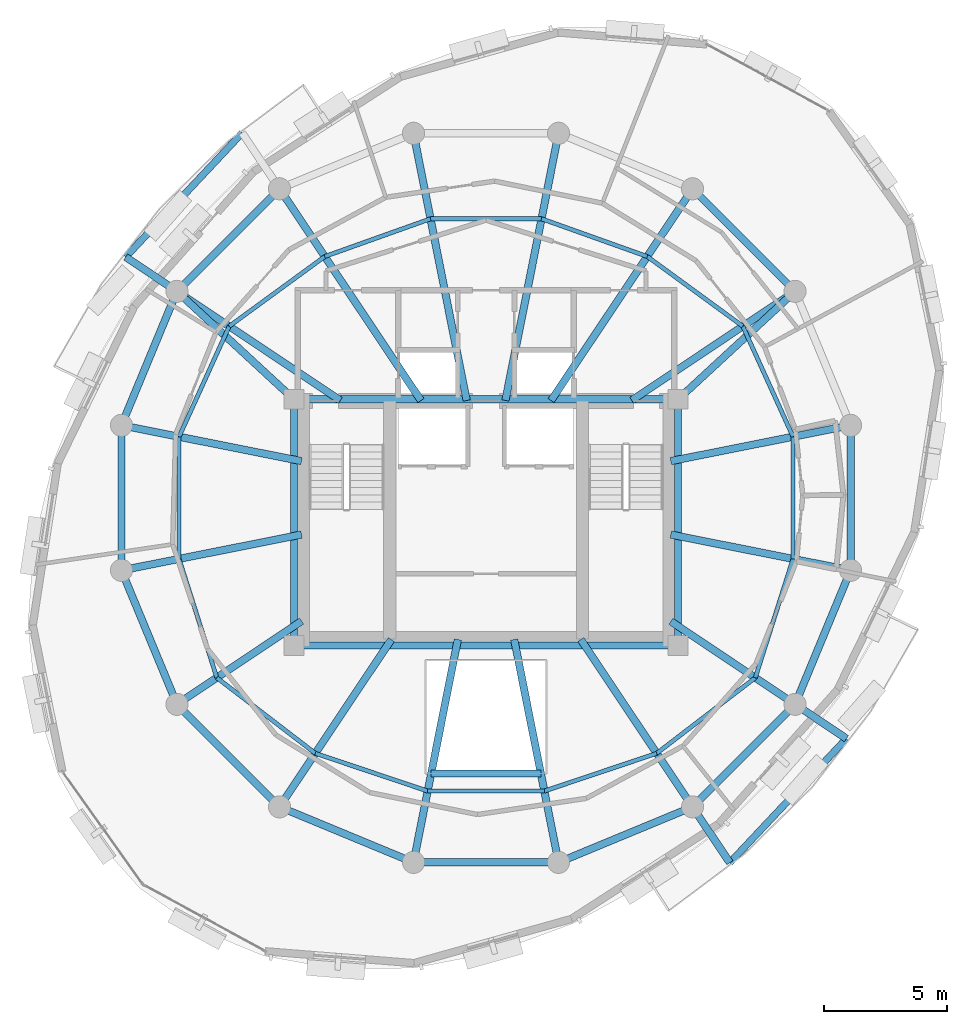
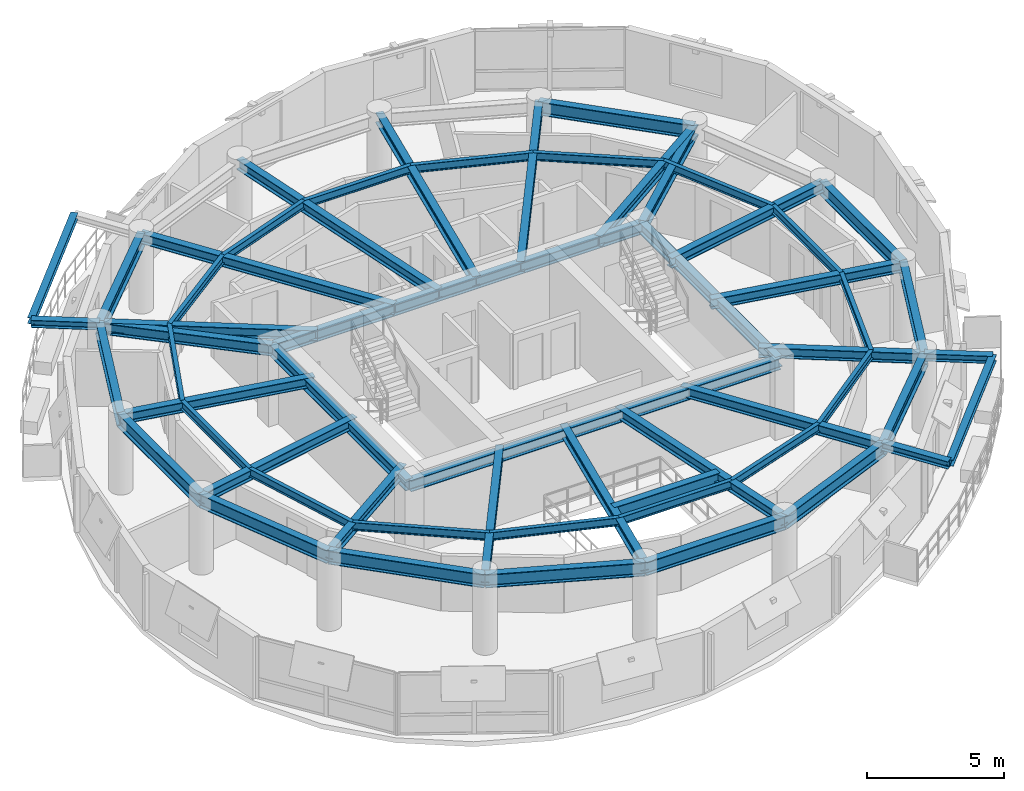
# One storey, part 3 of 11: 56 beams.
"""IFC4 building model written with IfcOpenShell, lengths in metres."""

from ifc_helpers import new_model, si_unit, direction, frame, origin, origin_2d, place, context, subcontext, project, spatial, i_section, extrude, material, material_profile, profile_set, type_object, element, save


model = new_model("IFC4")

# Units and contexts
model_context = context("Model", 3, precision=1e-05, world=origin(), true_north=direction((0.0, 1.0)))
body_context = subcontext(model_context, "Body", "Model", "MODEL_VIEW")
ifc_project = project(units=[si_unit("LENGTHUNIT", "METRE"), si_unit("AREAUNIT", "SQUARE_METRE"), si_unit("VOLUMEUNIT", "CUBIC_METRE"), si_unit("PLANEANGLEUNIT", "RADIAN"), si_unit("MASSUNIT", "GRAM", prefix="KILO"), si_unit("THERMODYNAMICTEMPERATUREUNIT", "KELVIN"), si_unit("POWERUNIT", "WATT")], contexts=[model_context])

# Site, building, storey
site_placement = place(None, origin())
site = spatial("IfcSite", under=ifc_project, at=site_placement, CompositionType="ELEMENT")
building_placement = place(site_placement, origin())
building = spatial("IfcBuilding", under=site, at=building_placement, Name="Ocrelia Relay Tower", CompositionType="ELEMENT")
storey_placement = place(building_placement, frame((0.0, 0.0, 234.0)))
storey = spatial("IfcBuildingStorey", under=building, at=storey_placement, Name="L57", CompositionType="ELEMENT", Elevation=234.0)

# Beams
ifc_material = material(Name="Steel S355", Category="steel")
ifc_material_profile_1 = material_profile(ifc_material, i_section(OverallWidth=0.280029296875, OverallDepth=0.27001953125, WebThickness=0.008056640625, FlangeThickness=0.012939453125, FilletRadius=0.02392578125, at=origin_2d()), Name="HEA 280")
ifc_profile_set_1 = profile_set([ifc_material_profile_1], Name="Steel S355")
beam_type_1 = type_object("IfcBeamType", Name="BM-HEA280", PredefinedType="BEAM", material=ifc_profile_set_1)
for number, where, z_axis, x_axis, name in (
    (1, (24.0947265625, 40.82421875, 3.2451171875), (-0.684556130345, -0.728960152825, 0.0), (0.728960152825, -0.684556130345, 0.0), "L58 Balcony Edge Trimmer Beam B1"),
    (2, (43.9052734375, 11.17578125, 3.2451171875), (0.684556130345, 0.728960152825, 0.0), (-0.728960152825, 0.684556130345, 0.0), "L58 Balcony Edge Trimmer Beam B2"),
):
    element("IfcBeam", number, at=place(storey_placement, frame(where, z_axis=z_axis, x_axis=x_axis)), inside=storey, type_object=beam_type_1, Name=name, PredefinedType="BEAM", context=body_context, shape_type="SweptSolid", body=[
        extrude(i_section(OverallWidth=0.280029296875, OverallDepth=0.27001953125, WebThickness=0.008056640625, FlangeThickness=0.012939453125, FilletRadius=0.02392578125, at=origin_2d()), origin(), (0.0, 0.0, 1.0), 6.916748046875),
    ])
ifc_material_profile_2 = material_profile(ifc_material, i_section(OverallWidth=0.300048828125, OverallDepth=0.330078125, WebThickness=0.009521484375, FlangeThickness=0.0166015625, FilletRadius=0.027099609375, at=origin_2d()), Name="HEA 340")
ifc_profile_set_2 = profile_set([ifc_material_profile_2], Name="Steel S355")
beam_type_2 = type_object("IfcBeamType", Name="BM-HEA340", PredefinedType="BEAM", material=ifc_profile_set_2)
beam_1_placement = place(storey_placement, frame((21.44482421875, 34.38916015625, 3.215087890625), z_axis=(-0.831480656767, 0.555553703455, 0.0), x_axis=(-0.555553703455, -0.831480656767, 0.0)))
element("IfcBeam", 3, at=beam_1_placement, inside=storey, type_object=beam_type_2, Name="L58 Balcony Cantilever Beam B1-2", PredefinedType="BEAM", context=body_context, shape_type="SweptSolid", body=[
    extrude(i_section(OverallWidth=0.300048828125, OverallDepth=0.330078125, WebThickness=0.009521484375, FlangeThickness=0.0166015625, FilletRadius=0.027099609375, at=origin_2d()), origin(), (0.0, 0.0, 1.0), 2.507568359375),
])
beam_2_placement = place(storey_placement, frame((42.38916015625, 13.44482421875, 3.215087890625), z_axis=(0.555567000699, -0.831471772061, 0.0), x_axis=(0.831471772061, 0.555567000699, 0.0)))
element("IfcBeam", 4, at=beam_2_placement, inside=storey, type_object=beam_type_2, Name="L58 Balcony Cantilever Beam B2-1", PredefinedType="BEAM", context=body_context, shape_type="SweptSolid", body=[
    extrude(i_section(OverallWidth=0.300048828125, OverallDepth=0.330078125, WebThickness=0.009521484375, FlangeThickness=0.0166015625, FilletRadius=0.027099609375, at=origin_2d()), origin(), (0.0, 0.0, 1.0), 2.72900390625),
])
beam_3_placement = place(storey_placement, frame((46.55517578125, 17.61083984375, 3.215087890625), z_axis=(0.831480656767, -0.555553703455, 0.0), x_axis=(0.555553703455, 0.831480656767, 0.0)))
element("IfcBeam", 5, at=beam_3_placement, inside=storey, type_object=beam_type_2, Name="L58 Balcony Cantilever Beam B2-2", PredefinedType="BEAM", context=body_context, shape_type="SweptSolid", body=[
    extrude(i_section(OverallWidth=0.300048828125, OverallDepth=0.330078125, WebThickness=0.009521484375, FlangeThickness=0.0166015625, FilletRadius=0.027099609375, at=origin_2d()), origin(), (0.0, 0.0, 1.0), 2.507568359375),
])
ifc_material_profile_3 = material_profile(ifc_material, i_section(OverallWidth=0.300048828125, OverallDepth=0.449951171875, WebThickness=0.013916015625, FlangeThickness=0.02587890625, FilletRadius=0.027099609375, at=origin_2d()), Name="HEB 450")
ifc_profile_set_3 = profile_set([ifc_material_profile_3], Name="Steel S355")
beam_type_3 = type_object("IfcBeamType", Name="BM-HEB450", PredefinedType="BEAM", material=ifc_profile_set_3)
beam_4_placement = place(storey_placement, frame((48.809814453125, 28.94580078125, 3.155029296875), z_axis=(-0.980789400571, -0.195069607393, 0.0), x_axis=(0.195069607393, -0.980789400571, 0.0)))
element("IfcBeam", 6, at=beam_4_placement, inside=storey, type_object=beam_type_3, Name="L57 Radial Floor Girder R01", PredefinedType="BEAM", context=body_context, shape_type="SweptSolid", body=[
    extrude(i_section(OverallWidth=0.300048828125, OverallDepth=0.449951171875, WebThickness=0.013916015625, FlangeThickness=0.02587890625, FilletRadius=0.027099609375, at=origin_2d()), origin(), (0.0, 0.0, 1.0), 7.447998046875),
])
beam_5_placement = place(storey_placement, frame((46.55517578125, 34.38916015625, 3.155029296875), z_axis=(-0.83146627118, -0.555575233331, 0.0), x_axis=(0.555575233331, -0.83146627118, 0.0)))
element("IfcBeam", 7, at=beam_5_placement, inside=storey, type_object=beam_type_3, Name="L57 Radial Floor Girder R02", PredefinedType="BEAM", context=body_context, shape_type="SweptSolid", body=[
    extrude(i_section(OverallWidth=0.300048828125, OverallDepth=0.449951171875, WebThickness=0.013916015625, FlangeThickness=0.02587890625, FilletRadius=0.027099609375, at=origin_2d()), origin(), (0.0, 0.0, 1.0), 7.98095703125),
])
beam_6_placement = place(storey_placement, frame((42.38916015625, 38.55517578125, 3.155029296875), z_axis=(-0.555582296999, -0.831461551283, 0.0), x_axis=(0.831461551283, -0.555582296999, 0.0)))
element("IfcBeam", 8, at=beam_6_placement, inside=storey, type_object=beam_type_3, Name="L57 Radial Floor Girder R03", PredefinedType="BEAM", context=body_context, shape_type="SweptSolid", body=[
    extrude(i_section(OverallWidth=0.300048828125, OverallDepth=0.449951171875, WebThickness=0.013916015625, FlangeThickness=0.02587890625, FilletRadius=0.027099609375, at=origin_2d()), origin(), (0.0, 0.0, 1.0), 10.34326171875),
])
for number, where, z_axis, x_axis, name in (
    (9, (36.94580078125, 40.809814453125, 3.155029296875), (-0.195093658495, -0.98078461673, 0.0), (0.98078461673, -0.195093658495, 0.0), "L57 Radial Floor Girder R04"),
    (10, (31.05419921875, 40.809814453125, 3.155029296875), (0.195093658495, -0.98078461673, 0.0), (0.98078461673, 0.195093658495, 0.0), "L57 Radial Floor Girder R05"),
):
    element("IfcBeam", number, at=place(storey_placement, frame(where, z_axis=z_axis, x_axis=x_axis)), inside=storey, type_object=beam_type_3, Name=name, PredefinedType="BEAM", context=body_context, shape_type="SweptSolid", body=[
        extrude(i_section(OverallWidth=0.300048828125, OverallDepth=0.449951171875, WebThickness=0.013916015625, FlangeThickness=0.02587890625, FilletRadius=0.027099609375, at=origin_2d()), origin(), (0.0, 0.0, 1.0), 11.0673828125),
    ])
beam_7_placement = place(storey_placement, frame((25.61083984375, 38.55517578125, 3.155029296875), z_axis=(0.555582296999, -0.831461551283, 0.0), x_axis=(0.831461551283, 0.555582296999, 0.0)))
element("IfcBeam", 11, at=beam_7_placement, inside=storey, type_object=beam_type_3, Name="L57 Radial Floor Girder R06", PredefinedType="BEAM", context=body_context, shape_type="SweptSolid", body=[
    extrude(i_section(OverallWidth=0.300048828125, OverallDepth=0.449951171875, WebThickness=0.013916015625, FlangeThickness=0.02587890625, FilletRadius=0.027099609375, at=origin_2d()), origin(), (0.0, 0.0, 1.0), 10.34326171875),
])
beam_8_placement = place(storey_placement, frame((21.44482421875, 34.38916015625, 3.155029296875), z_axis=(0.83146627118, -0.555575233331, 0.0), x_axis=(0.555575233331, 0.83146627118, 0.0)))
element("IfcBeam", 12, at=beam_8_placement, inside=storey, type_object=beam_type_3, Name="L57 Radial Floor Girder R07", PredefinedType="BEAM", context=body_context, shape_type="SweptSolid", body=[
    extrude(i_section(OverallWidth=0.300048828125, OverallDepth=0.449951171875, WebThickness=0.013916015625, FlangeThickness=0.02587890625, FilletRadius=0.027099609375, at=origin_2d()), origin(), (0.0, 0.0, 1.0), 7.98095703125),
])
for number, where, z_axis, x_axis, name in (
    (13, (19.190185546875, 28.94580078125, 3.155029296875), (0.980789122594, -0.195071005024, 0.0), (0.195071005024, 0.980789122594, 0.0), "L57 Radial Floor Girder R08"),
    (14, (19.190185546875, 23.05419921875, 3.155029296875), (0.980789122594, 0.195071005024, 0.0), (-0.195071005024, 0.980789122594, 0.0), "L57 Radial Floor Girder R09"),
):
    element("IfcBeam", number, at=place(storey_placement, frame(where, z_axis=z_axis, x_axis=x_axis)), inside=storey, type_object=beam_type_3, Name=name, PredefinedType="BEAM", context=body_context, shape_type="SweptSolid", body=[
        extrude(i_section(OverallWidth=0.300048828125, OverallDepth=0.449951171875, WebThickness=0.013916015625, FlangeThickness=0.02587890625, FilletRadius=0.027099609375, at=origin_2d()), origin(), (0.0, 0.0, 1.0), 7.4580078125),
    ])
beam_9_placement = place(storey_placement, frame((21.44482421875, 17.61083984375, 3.155029296875), z_axis=(0.831463505153, 0.555579372906, 0.0), x_axis=(-0.555579372906, 0.831463505153, 0.0)))
element("IfcBeam", 15, at=beam_9_placement, inside=storey, type_object=beam_type_3, Name="L57 Radial Floor Girder R10", PredefinedType="BEAM", context=body_context, shape_type="SweptSolid", body=[
    extrude(i_section(OverallWidth=0.300048828125, OverallDepth=0.449951171875, WebThickness=0.013916015625, FlangeThickness=0.02587890625, FilletRadius=0.027099609375, at=origin_2d()), origin(), (0.0, 0.0, 1.0), 6.085693359375),
])
beam_10_placement = place(storey_placement, frame((25.61083984375, 13.44482421875, 3.155029296875), z_axis=(0.555560991962, 0.831475786906, 0.0), x_axis=(-0.831475786906, 0.555560991962, 0.0)))
element("IfcBeam", 16, at=beam_10_placement, inside=storey, type_object=beam_type_3, Name="L57 Radial Floor Girder R11", PredefinedType="BEAM", context=body_context, shape_type="SweptSolid", body=[
    extrude(i_section(OverallWidth=0.300048828125, OverallDepth=0.449951171875, WebThickness=0.013916015625, FlangeThickness=0.02587890625, FilletRadius=0.027099609375, at=origin_2d()), origin(), (0.0, 0.0, 1.0), 8.178466796875),
])
for number, where, z_axis, x_axis, name in (
    (17, (31.05419921875, 11.190185546875, 3.155029296875), (0.195078600472, 0.98078761189, 0.0), (-0.98078761189, 0.195078600472, 0.0), "L57 Radial Floor Girder R12"),
    (18, (36.94580078125, 11.190185546875, 3.155029296875), (-0.195078600472, 0.98078761189, 0.0), (-0.98078761189, -0.195078600472, 0.0), "L57 Radial Floor Girder R13"),
):
    element("IfcBeam", number, at=place(storey_placement, frame(where, z_axis=z_axis, x_axis=x_axis)), inside=storey, type_object=beam_type_3, Name=name, PredefinedType="BEAM", context=body_context, shape_type="SweptSolid", body=[
        extrude(i_section(OverallWidth=0.300048828125, OverallDepth=0.449951171875, WebThickness=0.013916015625, FlangeThickness=0.02587890625, FilletRadius=0.027099609375, at=origin_2d()), origin(), (0.0, 0.0, 1.0), 9.232421875),
    ])
beam_11_placement = place(storey_placement, frame((42.38916015625, 13.44482421875, 3.155029296875), z_axis=(-0.555560991962, 0.831475786906, 0.0), x_axis=(-0.831475786906, -0.555560991962, 0.0)))
element("IfcBeam", 19, at=beam_11_placement, inside=storey, type_object=beam_type_3, Name="L57 Radial Floor Girder R14", PredefinedType="BEAM", context=body_context, shape_type="SweptSolid", body=[
    extrude(i_section(OverallWidth=0.300048828125, OverallDepth=0.449951171875, WebThickness=0.013916015625, FlangeThickness=0.02587890625, FilletRadius=0.027099609375, at=origin_2d()), origin(), (0.0, 0.0, 1.0), 8.178466796875),
])
beam_12_placement = place(storey_placement, frame((46.55517578125, 17.61083984375, 3.155029296875), z_axis=(-0.831468559595, 0.555571808504, 0.0), x_axis=(-0.555571808504, -0.831468559595, 0.0)))
element("IfcBeam", 20, at=beam_12_placement, inside=storey, type_object=beam_type_3, Name="L57 Radial Floor Girder R15", PredefinedType="BEAM", context=body_context, shape_type="SweptSolid", body=[
    extrude(i_section(OverallWidth=0.300048828125, OverallDepth=0.449951171875, WebThickness=0.013916015625, FlangeThickness=0.02587890625, FilletRadius=0.027099609375, at=origin_2d()), origin(), (0.0, 0.0, 1.0), 6.073974609375),
])
beam_13_placement = place(storey_placement, frame((48.809814453125, 23.05419921875, 3.155029296875), z_axis=(-0.980789400571, 0.195069607393, 0.0), x_axis=(-0.195069607393, -0.980789400571, 0.0)))
element("IfcBeam", 21, at=beam_13_placement, inside=storey, type_object=beam_type_3, Name="L57 Radial Floor Girder R16", PredefinedType="BEAM", context=body_context, shape_type="SweptSolid", body=[
    extrude(i_section(OverallWidth=0.300048828125, OverallDepth=0.449951171875, WebThickness=0.013916015625, FlangeThickness=0.02587890625, FilletRadius=0.027099609375, at=origin_2d()), origin(), (0.0, 0.0, 1.0), 7.447998046875),
])
ifc_material_profile_4 = material_profile(ifc_material, i_section(OverallWidth=0.300048828125, OverallDepth=0.5, WebThickness=0.014404296875, FlangeThickness=0.028076171875, FilletRadius=0.027099609375, at=origin_2d()), Name="HEB 500")
ifc_profile_set_4 = profile_set([ifc_material_profile_4], Name="Steel S355")
beam_type_4 = type_object("IfcBeamType", Name="BM-HEB500", PredefinedType="BEAM", material=ifc_profile_set_4)
for number, where, z_axis, x_axis, name in (
    (22, (26.199951171875, 20.0, 3.1298828125), (1.0, 0.0, 0.0), (0.0, 1.0, 0.0), "L57 Core Pilaster Tie Beam S"),
    (23, (26.199951171875, 30.0, 3.1298828125), (1.0, 0.0, 0.0), (0.0, 1.0, 0.0), "L57 Core Pilaster Tie Beam N"),
):
    element("IfcBeam", number, at=place(storey_placement, frame(where, z_axis=z_axis, x_axis=x_axis)), inside=storey, type_object=beam_type_4, Name=name, PredefinedType="BEAM", context=body_context, shape_type="SweptSolid", body=[
        extrude(i_section(OverallWidth=0.300048828125, OverallDepth=0.5, WebThickness=0.014404296875, FlangeThickness=0.028076171875, FilletRadius=0.027099609375, at=origin_2d()), origin(), (0.0, 0.0, 1.0), 15.60009765625),
    ])
for number, where, z_axis, x_axis, name in (
    (24, (26.199951171875, 20.0, 3.1298828125), (0.0, 1.0, 0.0), (-1.0, 0.0, 0.0), "L57 Core Pilaster Tie Beam W"),
    (25, (41.800048828125, 20.0, 3.1298828125), (0.0, 1.0, 0.0), (-1.0, 0.0, 0.0), "L57 Core Pilaster Tie Beam E"),
):
    element("IfcBeam", number, at=place(storey_placement, frame(where, z_axis=z_axis, x_axis=x_axis)), inside=storey, type_object=beam_type_4, Name=name, PredefinedType="BEAM", context=body_context, shape_type="SweptSolid", body=[
        extrude(i_section(OverallWidth=0.300048828125, OverallDepth=0.5, WebThickness=0.014404296875, FlangeThickness=0.028076171875, FilletRadius=0.027099609375, at=origin_2d()), origin(), (0.0, 0.0, 1.0), 10.0),
    ])
for number, where, z_axis, x_axis, name in (
    (26, (46.55517578125, 34.38916015625, 3.1298828125), (-0.734817908666, -0.678264433023, 0.0), (0.678264433023, -0.734817908666, 0.0), "L57 Core Pilaster Frame Tie Beam PT02"),
    (27, (21.44482421875, 34.38916015625, 3.1298828125), (0.734817908666, -0.678264433023, 0.0), (0.678264433023, 0.734817908666, 0.0), "L57 Core Pilaster Frame Tie Beam PT07"),
):
    element("IfcBeam", number, at=place(storey_placement, frame(where, z_axis=z_axis, x_axis=x_axis)), inside=storey, type_object=beam_type_4, Name=name, PredefinedType="BEAM", context=body_context, shape_type="SweptSolid", body=[
        extrude(i_section(OverallWidth=0.300048828125, OverallDepth=0.5, WebThickness=0.014404296875, FlangeThickness=0.028076171875, FilletRadius=0.027099609375, at=origin_2d()), origin(), (0.0, 0.0, 1.0), 6.47119140625),
    ])
ifc_material_profile_5 = material_profile(ifc_material, i_section(OverallWidth=0.300048828125, OverallDepth=0.550048828125, WebThickness=0.014892578125, FlangeThickness=0.029052734375, FilletRadius=0.027099609375, at=origin_2d()), Name="HEB 550")
ifc_profile_set_5 = profile_set([ifc_material_profile_5], Name="Steel S355")
beam_type_5 = type_object("IfcBeamType", Name="BM-HEB550", PredefinedType="BEAM", material=ifc_profile_set_5)
beam_14_placement = place(storey_placement, frame((31.772216796875, 14.800048828125, 3.10498046875), z_axis=(1.0, 0.0, 0.0), x_axis=(0.0, 1.0, 0.0)))
element("IfcBeam", 28, at=beam_14_placement, inside=storey, type_object=beam_type_5, Name="L57 Atrium South Trimmer Beam", PredefinedType="BEAM", context=body_context, shape_type="SweptSolid", body=[
    extrude(i_section(OverallWidth=0.300048828125, OverallDepth=0.550048828125, WebThickness=0.014892578125, FlangeThickness=0.029052734375, FilletRadius=0.027099609375, at=origin_2d()), origin(), (0.0, 0.0, 1.0), 4.45556640625),
])
ifc_material_profile_6 = material_profile(ifc_material, i_section(OverallWidth=0.300048828125, OverallDepth=0.60009765625, WebThickness=0.015380859375, FlangeThickness=0.030029296875, FilletRadius=0.027099609375, at=origin_2d()), Name="HEB 600")
ifc_profile_set_6 = profile_set([ifc_material_profile_6], Name="Steel S355")
beam_type_6 = type_object("IfcBeamType", Name="BM-HEB600", PredefinedType="BEAM", material=ifc_profile_set_6)
for number, where, z_axis, x_axis, name in (
    (29, (46.55517578125, 34.38916015625, 3.080078125), (-0.707106781187, 0.707106781187, 0.0), (-0.707106781187, -0.707106781187, 0.0), "L57 Perimeter Spandrel Beam S02"),
    (30, (25.61083984375, 38.55517578125, 3.080078125), (-0.707106781187, -0.707106781187, 0.0), (0.707106781187, -0.707106781187, 0.0), "L57 Perimeter Spandrel Beam S06"),
):
    element("IfcBeam", number, at=place(storey_placement, frame(where, z_axis=z_axis, x_axis=x_axis)), inside=storey, type_object=beam_type_6, Name=name, PredefinedType="BEAM", context=body_context, shape_type="SweptSolid", body=[
        extrude(i_section(OverallWidth=0.300048828125, OverallDepth=0.60009765625, WebThickness=0.015380859375, FlangeThickness=0.030029296875, FilletRadius=0.027099609375, at=origin_2d()), origin(), (0.0, 0.0, 1.0), 5.8916015625),
    ])
beam_15_placement = place(storey_placement, frame((21.44482421875, 34.38916015625, 3.080078125), z_axis=(-0.382672624084, -0.923884009374, 0.0), x_axis=(0.923884009374, -0.382672624084, 0.0)))
element("IfcBeam", 31, at=beam_15_placement, inside=storey, type_object=beam_type_6, Name="L57 Perimeter Spandrel Beam S07", PredefinedType="BEAM", context=body_context, shape_type="SweptSolid", body=[
    extrude(i_section(OverallWidth=0.300048828125, OverallDepth=0.60009765625, WebThickness=0.015380859375, FlangeThickness=0.030029296875, FilletRadius=0.027099609375, at=origin_2d()), origin(), (0.0, 0.0, 1.0), 5.891845703125),
])
beam_16_placement = place(storey_placement, frame((19.190185546875, 28.94580078125, 3.080078125), z_axis=(0.0, -1.0, 0.0), x_axis=(1.0, 0.0, 0.0)))
element("IfcBeam", 32, at=beam_16_placement, inside=storey, type_object=beam_type_6, Name="L57 Perimeter Spandrel Beam S08", PredefinedType="BEAM", context=body_context, shape_type="SweptSolid", body=[
    extrude(i_section(OverallWidth=0.300048828125, OverallDepth=0.60009765625, WebThickness=0.015380859375, FlangeThickness=0.030029296875, FilletRadius=0.027099609375, at=origin_2d()), origin(), (0.0, 0.0, 1.0), 5.8916015625),
])
beam_17_placement = place(storey_placement, frame((19.190185546875, 23.05419921875, 3.080078125), z_axis=(0.382672624084, -0.923884009374, 0.0), x_axis=(0.923884009374, 0.382672624084, 0.0)))
element("IfcBeam", 33, at=beam_17_placement, inside=storey, type_object=beam_type_6, Name="L57 Perimeter Spandrel Beam S09", PredefinedType="BEAM", context=body_context, shape_type="SweptSolid", body=[
    extrude(i_section(OverallWidth=0.300048828125, OverallDepth=0.60009765625, WebThickness=0.015380859375, FlangeThickness=0.030029296875, FilletRadius=0.027099609375, at=origin_2d()), origin(), (0.0, 0.0, 1.0), 5.891845703125),
])
beam_18_placement = place(storey_placement, frame((21.44482421875, 17.61083984375, 3.080078125), z_axis=(0.707106781187, -0.707106781187, 0.0), x_axis=(0.707106781187, 0.707106781187, 0.0)))
element("IfcBeam", 34, at=beam_18_placement, inside=storey, type_object=beam_type_6, Name="L57 Perimeter Spandrel Beam S10", PredefinedType="BEAM", context=body_context, shape_type="SweptSolid", body=[
    extrude(i_section(OverallWidth=0.300048828125, OverallDepth=0.60009765625, WebThickness=0.015380859375, FlangeThickness=0.030029296875, FilletRadius=0.027099609375, at=origin_2d()), origin(), (0.0, 0.0, 1.0), 5.8916015625),
])
beam_19_placement = place(storey_placement, frame((25.61083984375, 13.44482421875, 3.080078125), z_axis=(0.923884009374, -0.382672624084, 0.0), x_axis=(0.382672624084, 0.923884009374, 0.0)))
element("IfcBeam", 35, at=beam_19_placement, inside=storey, type_object=beam_type_6, Name="L57 Perimeter Spandrel Beam S11", PredefinedType="BEAM", context=body_context, shape_type="SweptSolid", body=[
    extrude(i_section(OverallWidth=0.300048828125, OverallDepth=0.60009765625, WebThickness=0.015380859375, FlangeThickness=0.030029296875, FilletRadius=0.027099609375, at=origin_2d()), origin(), (0.0, 0.0, 1.0), 5.891845703125),
])
beam_20_placement = place(storey_placement, frame((31.05419921875, 11.190185546875, 3.080078125), z_axis=(1.0, 0.0, 0.0), x_axis=(0.0, 1.0, 0.0)))
element("IfcBeam", 36, at=beam_20_placement, inside=storey, type_object=beam_type_6, Name="L57 Perimeter Spandrel Beam S12", PredefinedType="BEAM", context=body_context, shape_type="SweptSolid", body=[
    extrude(i_section(OverallWidth=0.300048828125, OverallDepth=0.60009765625, WebThickness=0.015380859375, FlangeThickness=0.030029296875, FilletRadius=0.027099609375, at=origin_2d()), origin(), (0.0, 0.0, 1.0), 5.8916015625),
])
beam_21_placement = place(storey_placement, frame((36.94580078125, 11.190185546875, 3.080078125), z_axis=(0.923884009374, 0.382672624084, 0.0), x_axis=(-0.382672624084, 0.923884009374, 0.0)))
element("IfcBeam", 37, at=beam_21_placement, inside=storey, type_object=beam_type_6, Name="L57 Perimeter Spandrel Beam S13", PredefinedType="BEAM", context=body_context, shape_type="SweptSolid", body=[
    extrude(i_section(OverallWidth=0.300048828125, OverallDepth=0.60009765625, WebThickness=0.015380859375, FlangeThickness=0.030029296875, FilletRadius=0.027099609375, at=origin_2d()), origin(), (0.0, 0.0, 1.0), 5.891845703125),
])
beam_22_placement = place(storey_placement, frame((42.38916015625, 13.44482421875, 3.080078125), z_axis=(0.707106781187, 0.707106781187, 0.0), x_axis=(-0.707106781187, 0.707106781187, 0.0)))
element("IfcBeam", 38, at=beam_22_placement, inside=storey, type_object=beam_type_6, Name="L57 Perimeter Spandrel Beam S14", PredefinedType="BEAM", context=body_context, shape_type="SweptSolid", body=[
    extrude(i_section(OverallWidth=0.300048828125, OverallDepth=0.60009765625, WebThickness=0.015380859375, FlangeThickness=0.030029296875, FilletRadius=0.027099609375, at=origin_2d()), origin(), (0.0, 0.0, 1.0), 5.8916015625),
])
beam_23_placement = place(storey_placement, frame((46.55517578125, 17.61083984375, 3.080078125), z_axis=(0.382672624084, 0.923884009374, 0.0), x_axis=(-0.923884009374, 0.382672624084, 0.0)))
element("IfcBeam", 39, at=beam_23_placement, inside=storey, type_object=beam_type_6, Name="L57 Perimeter Spandrel Beam S15", PredefinedType="BEAM", context=body_context, shape_type="SweptSolid", body=[
    extrude(i_section(OverallWidth=0.300048828125, OverallDepth=0.60009765625, WebThickness=0.015380859375, FlangeThickness=0.030029296875, FilletRadius=0.027099609375, at=origin_2d()), origin(), (0.0, 0.0, 1.0), 5.891845703125),
])
beam_24_placement = place(storey_placement, frame((48.809814453125, 23.05419921875, 3.080078125), z_axis=(0.0, 1.0, 0.0), x_axis=(-1.0, 0.0, 0.0)))
element("IfcBeam", 40, at=beam_24_placement, inside=storey, type_object=beam_type_6, Name="L57 Perimeter Spandrel Beam S16", PredefinedType="BEAM", context=body_context, shape_type="SweptSolid", body=[
    extrude(i_section(OverallWidth=0.300048828125, OverallDepth=0.60009765625, WebThickness=0.015380859375, FlangeThickness=0.030029296875, FilletRadius=0.027099609375, at=origin_2d()), origin(), (0.0, 0.0, 1.0), 5.8916015625),
])
ifc_material_profile_7 = material_profile(ifc_material, i_section(OverallWidth=0.169921875, OverallDepth=0.360107421875, WebThickness=0.008056640625, FlangeThickness=0.0126953125, FilletRadius=0.01806640625, at=origin_2d()), Name="IPE 360")
ifc_profile_set_7 = profile_set([ifc_material_profile_7], Name="Steel S355")
beam_type_7 = type_object("IfcBeamType", Name="BM-IPE360", PredefinedType="JOIST", material=ifc_profile_set_7)
beam_25_placement = place(storey_placement, frame((46.472412109375, 28.48095703125, 3.199951171875), z_axis=(-0.413836514443, 0.91035121756, 0.0), x_axis=(-0.91035121756, -0.413836514443, 0.0)))
element("IfcBeam", 41, at=beam_25_placement, inside=storey, type_object=beam_type_7, Name="L57 Secondary Floor Joist J01", PredefinedType="JOIST", context=body_context, shape_type="SweptSolid", body=[
    extrude(i_section(OverallWidth=0.169921875, OverallDepth=0.360107421875, WebThickness=0.008056640625, FlangeThickness=0.0126953125, FilletRadius=0.01806640625, at=origin_2d()), origin(), (0.0, 0.0, 1.0), 4.931396484375),
])
beam_26_placement = place(storey_placement, frame((44.431640625, 32.97021484375, 3.199951171875), z_axis=(-0.80774844416, 0.58952731146, 0.0), x_axis=(-0.58952731146, -0.80774844416, 0.0)))
element("IfcBeam", 42, at=beam_26_placement, inside=storey, type_object=beam_type_7, Name="L57 Secondary Floor Joist J02", PredefinedType="JOIST", context=body_context, shape_type="SweptSolid", body=[
    extrude(i_section(OverallWidth=0.169921875, OverallDepth=0.360107421875, WebThickness=0.008056640625, FlangeThickness=0.0126953125, FilletRadius=0.01806640625, at=origin_2d()), origin(), (0.0, 0.0, 1.0), 4.80517578125),
])
beam_27_placement = place(storey_placement, frame((40.55029296875, 35.802978515625, 3.199951171875), z_axis=(-0.94180245035, 0.336166840298, 0.0), x_axis=(-0.336166840298, -0.94180245035, 0.0)))
element("IfcBeam", 43, at=beam_27_placement, inside=storey, type_object=beam_type_7, Name="L57 Secondary Floor Joist J03", PredefinedType="JOIST", context=body_context, shape_type="SweptSolid", body=[
    extrude(i_section(OverallWidth=0.169921875, OverallDepth=0.360107421875, WebThickness=0.008056640625, FlangeThickness=0.0126953125, FilletRadius=0.01806640625, at=origin_2d()), origin(), (0.0, 0.0, 1.0), 4.560791015625),
])
beam_28_placement = place(storey_placement, frame((36.2548828125, 37.336181640625, 3.199951171875), z_axis=(-1.0, 0.0, 0.0), x_axis=(0.0, -1.0, 0.0)))
element("IfcBeam", 44, at=beam_28_placement, inside=storey, type_object=beam_type_7, Name="L57 Secondary Floor Joist J04", PredefinedType="JOIST", context=body_context, shape_type="SweptSolid", body=[
    extrude(i_section(OverallWidth=0.169921875, OverallDepth=0.360107421875, WebThickness=0.008056640625, FlangeThickness=0.0126953125, FilletRadius=0.01806640625, at=origin_2d()), origin(), (0.0, 0.0, 1.0), 4.509765625),
])
beam_29_placement = place(storey_placement, frame((31.7451171875, 37.336181640625, 3.199951171875), z_axis=(-0.94180245035, -0.336166840298, 0.0), x_axis=(0.336166840298, -0.94180245035, 0.0)))
element("IfcBeam", 45, at=beam_29_placement, inside=storey, type_object=beam_type_7, Name="L57 Secondary Floor Joist J05", PredefinedType="JOIST", context=body_context, shape_type="SweptSolid", body=[
    extrude(i_section(OverallWidth=0.169921875, OverallDepth=0.360107421875, WebThickness=0.008056640625, FlangeThickness=0.0126953125, FilletRadius=0.01806640625, at=origin_2d()), origin(), (0.0, 0.0, 1.0), 4.560791015625),
])
beam_30_placement = place(storey_placement, frame((27.44970703125, 35.802978515625, 3.199951171875), z_axis=(-0.80774844416, -0.58952731146, 0.0), x_axis=(0.58952731146, -0.80774844416, 0.0)))
element("IfcBeam", 46, at=beam_30_placement, inside=storey, type_object=beam_type_7, Name="L57 Secondary Floor Joist J06", PredefinedType="JOIST", context=body_context, shape_type="SweptSolid", body=[
    extrude(i_section(OverallWidth=0.169921875, OverallDepth=0.360107421875, WebThickness=0.008056640625, FlangeThickness=0.0126953125, FilletRadius=0.01806640625, at=origin_2d()), origin(), (0.0, 0.0, 1.0), 4.80517578125),
])
beam_31_placement = place(storey_placement, frame((23.568359375, 32.97021484375, 3.199951171875), z_axis=(-0.413205957462, -0.910637599003, 0.0), x_axis=(0.910637599003, -0.413205957462, 0.0)))
element("IfcBeam", 47, at=beam_31_placement, inside=storey, type_object=beam_type_7, Name="L57 Secondary Floor Joist J07", PredefinedType="JOIST", context=body_context, shape_type="SweptSolid", body=[
    extrude(i_section(OverallWidth=0.169921875, OverallDepth=0.360107421875, WebThickness=0.008056640625, FlangeThickness=0.0126953125, FilletRadius=0.01806640625, at=origin_2d()), origin(), (0.0, 0.0, 1.0), 4.9306640625),
])
beam_32_placement = place(storey_placement, frame((21.531005859375, 28.480224609375, 3.199951171875), z_axis=(0.0, -1.0, 0.0), x_axis=(1.0, 0.0, 0.0)))
element("IfcBeam", 48, at=beam_32_placement, inside=storey, type_object=beam_type_7, Name="L57 Secondary Floor Joist J08", PredefinedType="JOIST", context=body_context, shape_type="SweptSolid", body=[
    extrude(i_section(OverallWidth=0.169921875, OverallDepth=0.360107421875, WebThickness=0.008056640625, FlangeThickness=0.0126953125, FilletRadius=0.01806640625, at=origin_2d()), origin(), (0.0, 0.0, 1.0), 4.96044921875),
])
beam_33_placement = place(storey_placement, frame((21.531005859375, 23.519775390625, 3.199951171875), z_axis=(0.302732054046, -0.953075707094, 0.0), x_axis=(0.953075707094, 0.302732054046, 0.0)))
element("IfcBeam", 49, at=beam_33_placement, inside=storey, type_object=beam_type_7, Name="L57 Secondary Floor Joist J09", PredefinedType="JOIST", context=body_context, shape_type="SweptSolid", body=[
    extrude(i_section(OverallWidth=0.169921875, OverallDepth=0.360107421875, WebThickness=0.008056640625, FlangeThickness=0.0126953125, FilletRadius=0.01806640625, at=origin_2d()), origin(), (0.0, 0.0, 1.0), 5.064453125),
])
beam_34_placement = place(storey_placement, frame((23.064208984375, 18.69287109375, 3.199951171875), z_axis=(0.793147291367, -0.60902986314, 0.0), x_axis=(0.60902986314, 0.793147291367, 0.0)))
element("IfcBeam", 50, at=beam_34_placement, inside=storey, type_object=beam_type_7, Name="L57 Secondary Floor Joist J10", PredefinedType="JOIST", context=body_context, shape_type="SweptSolid", body=[
    extrude(i_section(OverallWidth=0.169921875, OverallDepth=0.360107421875, WebThickness=0.008056640625, FlangeThickness=0.0126953125, FilletRadius=0.01806640625, at=origin_2d()), origin(), (0.0, 0.0, 1.0), 5.044189453125),
])
beam_35_placement = place(storey_placement, frame((27.06494140625, 15.620849609375, 3.199951171875), z_axis=(0.947976335242, -0.318340804519, 0.0), x_axis=(0.318340804519, 0.947976335242, 0.0)))
element("IfcBeam", 51, at=beam_35_placement, inside=storey, type_object=beam_type_7, Name="L57 Secondary Floor Joist J11", PredefinedType="JOIST", context=body_context, shape_type="SweptSolid", body=[
    extrude(i_section(OverallWidth=0.169921875, OverallDepth=0.360107421875, WebThickness=0.008056640625, FlangeThickness=0.0126953125, FilletRadius=0.01806640625, at=origin_2d()), origin(), (0.0, 0.0, 1.0), 4.816162109375),
])
beam_36_placement = place(storey_placement, frame((31.630615234375, 14.087646484375, 3.199951171875), z_axis=(1.0, 0.0, 0.0), x_axis=(0.0, 1.0, 0.0)))
element("IfcBeam", 52, at=beam_36_placement, inside=storey, type_object=beam_type_7, Name="L57 Secondary Floor Joist J12", PredefinedType="JOIST", context=body_context, shape_type="SweptSolid", body=[
    extrude(i_section(OverallWidth=0.169921875, OverallDepth=0.360107421875, WebThickness=0.008056640625, FlangeThickness=0.0126953125, FilletRadius=0.01806640625, at=origin_2d()), origin(), (0.0, 0.0, 1.0), 4.73876953125),
])
beam_37_placement = place(storey_placement, frame((36.369384765625, 14.087646484375, 3.199951171875), z_axis=(0.947976335242, 0.318340804519, 0.0), x_axis=(-0.318340804519, 0.947976335242, 0.0)))
element("IfcBeam", 53, at=beam_37_placement, inside=storey, type_object=beam_type_7, Name="L57 Secondary Floor Joist J13", PredefinedType="JOIST", context=body_context, shape_type="SweptSolid", body=[
    extrude(i_section(OverallWidth=0.169921875, OverallDepth=0.360107421875, WebThickness=0.008056640625, FlangeThickness=0.0126953125, FilletRadius=0.01806640625, at=origin_2d()), origin(), (0.0, 0.0, 1.0), 4.816162109375),
])
beam_38_placement = place(storey_placement, frame((40.93505859375, 15.620849609375, 3.199951171875), z_axis=(0.793608697717, 0.608428496134, 0.0), x_axis=(-0.608428496134, 0.793608697717, 0.0)))
element("IfcBeam", 54, at=beam_38_placement, inside=storey, type_object=beam_type_7, Name="L57 Secondary Floor Joist J14", PredefinedType="JOIST", context=body_context, shape_type="SweptSolid", body=[
    extrude(i_section(OverallWidth=0.169921875, OverallDepth=0.360107421875, WebThickness=0.008056640625, FlangeThickness=0.0126953125, FilletRadius=0.01806640625, at=origin_2d()), origin(), (0.0, 0.0, 1.0), 5.04541015625),
])
beam_39_placement = place(storey_placement, frame((44.939208984375, 18.690673828125, 3.199951171875), z_axis=(0.302648624063, 0.953102203519, 0.0), x_axis=(-0.953102203519, 0.302648624063, 0.0)))
element("IfcBeam", 55, at=beam_39_placement, inside=storey, type_object=beam_type_7, Name="L57 Secondary Floor Joist J15", PredefinedType="JOIST", context=body_context, shape_type="SweptSolid", body=[
    extrude(i_section(OverallWidth=0.169921875, OverallDepth=0.360107421875, WebThickness=0.008056640625, FlangeThickness=0.0126953125, FilletRadius=0.01806640625, at=origin_2d()), origin(), (0.0, 0.0, 1.0), 5.06591796875),
])
beam_40_placement = place(storey_placement, frame((46.472412109375, 23.51904296875, 3.199951171875), z_axis=(0.0, 1.0, 0.0), x_axis=(-1.0, 0.0, 0.0)))
element("IfcBeam", 56, at=beam_40_placement, inside=storey, type_object=beam_type_7, Name="L57 Secondary Floor Joist J16", PredefinedType="JOIST", context=body_context, shape_type="SweptSolid", body=[
    extrude(i_section(OverallWidth=0.169921875, OverallDepth=0.360107421875, WebThickness=0.008056640625, FlangeThickness=0.0126953125, FilletRadius=0.01806640625, at=origin_2d()), origin(), (0.0, 0.0, 1.0), 4.9619140625),
])

save(model, "model.ifc")
